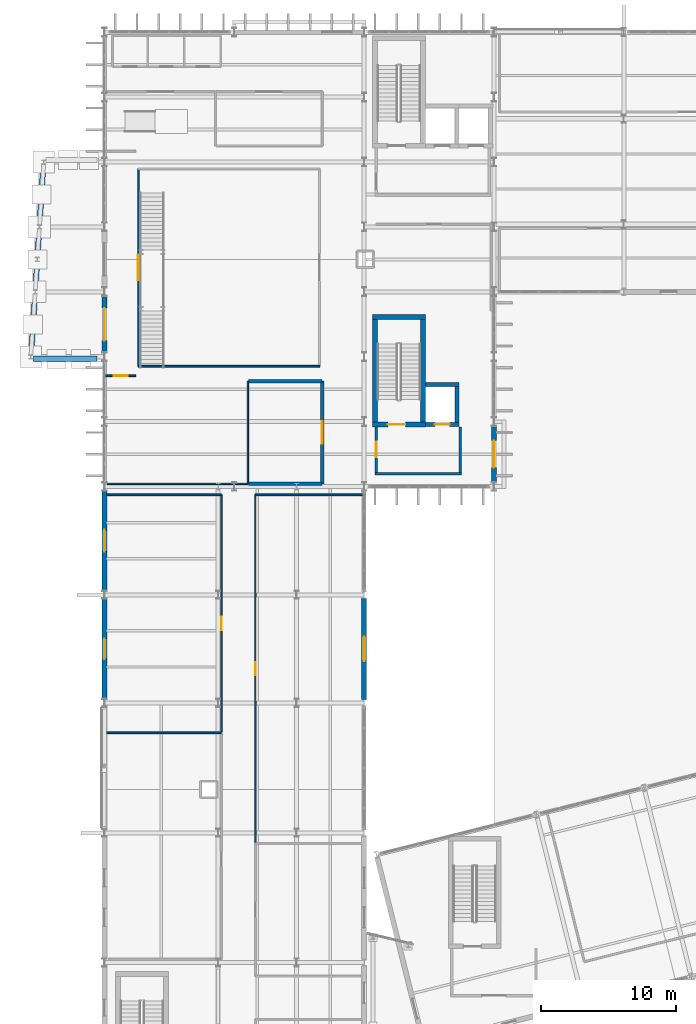
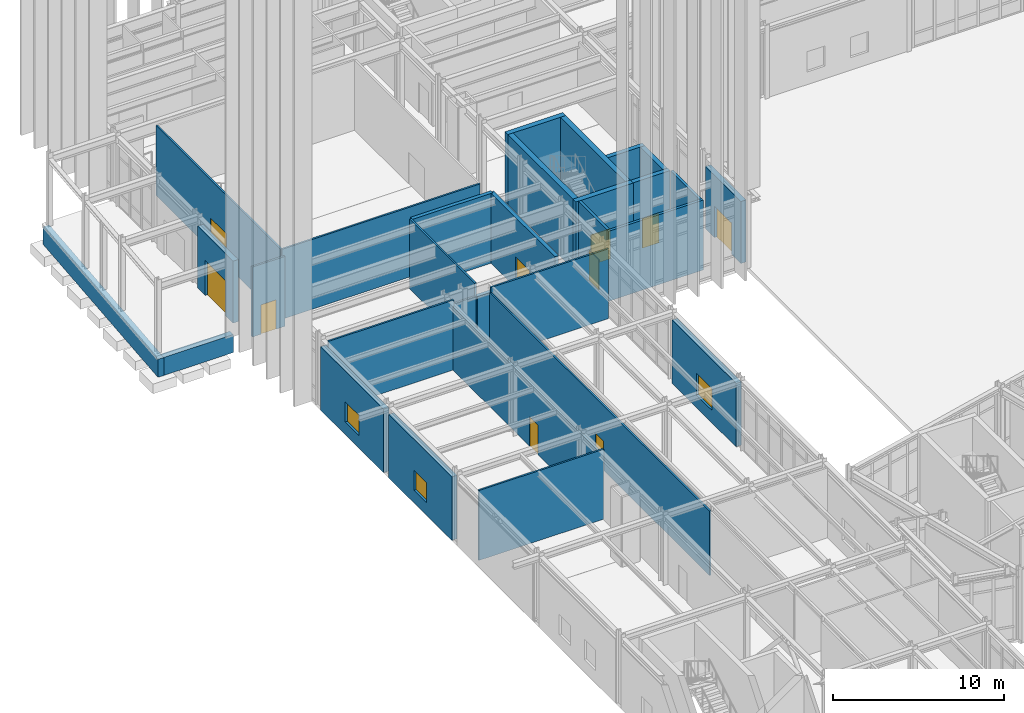
# One storey, part 90 of 109: 30 walls, 10 doors, 3 windows, 13 openings.
"""IFC4 building model written with IfcOpenShell, lengths in metres."""

from ifc_helpers import new_model, si_unit, direction, frame, frame_2d, origin, place, context, subcontext, project, spatial, rectangle, extrude, material, layer, layer_set, type_object, element, fill, save


model = new_model("IFC4")

# Units and contexts
model_context = context("Model", 3, precision=1e-05, world=origin(), true_north=direction((0.0, 1.0)))
body_context = subcontext(model_context, "Body", "Model", "MODEL_VIEW")
ifc_project = project(units=[si_unit("LENGTHUNIT", "METRE"), si_unit("AREAUNIT", "SQUARE_METRE"), si_unit("VOLUMEUNIT", "CUBIC_METRE"), si_unit("PLANEANGLEUNIT", "RADIAN"), si_unit("MASSUNIT", "GRAM", prefix="KILO")], contexts=[model_context])

# Site, building, storey
site_placement = place(None, origin())
site = spatial("IfcSite", under=ifc_project, at=site_placement, CompositionType="ELEMENT")
building_placement = place(site_placement, origin())
building = spatial("IfcBuilding", under=site, at=building_placement, Name="Nordkorset Police Headquarters", CompositionType="ELEMENT")
storey_placement = place(building_placement, origin())
storey = spatial("IfcBuildingStorey", under=building, at=storey_placement, Name="L00", CompositionType="ELEMENT", Elevation=0.0)

# Wall
ifc_material_1 = material(Name="Gypsum board", Category="gypsum")
ifc_layer_1 = layer(ifc_material_1, 0.179931640625, Name="Gypsum board")
ifc_layer_set_1 = layer_set([ifc_layer_1], Name="Gypsum board")
wall_type_1 = type_object("IfcWallType", Name="Wall_Comp_180", PredefinedType="PARTITIONING", material=ifc_layer_set_1)
wall_1_placement = place(storey_placement, frame((20.0, 84.159912109375, 0.0), z_axis=(0.0, 0.0, 1.0), x_axis=(1.0, 0.0, 0.0)))
element("IfcWall", 1, at=wall_1_placement, inside=storey, type_object=wall_type_1, Name="Firefighting Lobby EI 60 Wall K3 L00 S", PredefinedType="PARTITIONING", context=body_context, shape_type="SweptSolid", body=[
    extrude(rectangle(XDim=6.39990234375, YDim=0.179931640625, at=frame_2d((3.199951171875, 0.0))), origin(), (0.0, 0.0, 1.0), 5.0),
])

# Wall, opening, door
wall_2_placement = place(storey_placement, frame((20.090087890625, 84.25, 0.0), z_axis=(0.0, 0.0, 1.0), x_axis=(0.0, 1.0, 0.0)))
wall_2 = element("IfcWall", 2, at=wall_2_placement, inside=storey, type_object=wall_type_1, Name="Firefighting Lobby EI 60 Wall K3 L00 W", PredefinedType="PARTITIONING", context=body_context, shape_type="SweptSolid", body=[
    extrude(rectangle(XDim=3.375, YDim=0.179931640625, at=frame_2d((1.6875, 0.0))), origin(), (0.0, 0.0, 1.0), 5.0),
])
opening_1_placement = place(wall_2_placement, frame((1.112548828125, 0.0, 0.0)))
opening_1 = element("IfcOpeningElement", 3, at=opening_1_placement, cuts=wall_2, Name="Opening DR-01", PredefinedType="OPENING", context=body_context, shape_type="SweptSolid", body=[
    extrude(rectangle(XDim=1.14990234375, YDim=2.14990234375, at=frame_2d((0.574951171875, 1.074951171875))), frame((0.0, 0.10009765625, 0.0), z_axis=(0.0, -1.0, 0.0), x_axis=(1.0, 0.0, 0.0)), (0.0, 0.0, 1.0), 0.199951171875),
])
ifc_material_2 = material(Name="Steel S355J2", Category="steel")
door_type_1 = type_object("IfcDoorType", Name="Door_LobbySingle_1150x2150", OperationType="NOTDEFINED", PredefinedType="DOOR", material=ifc_material_2)
door_1_placement = place(opening_1_placement, origin())
door_1 = element("IfcDoor", 4, at=door_1_placement, inside=storey, type_object=door_type_1, Name="Firefighting Lobby Smoke Door K3 L00 W", OperationType="SINGLE_SWING_RIGHT", OverallHeight=2.14990234375, OverallWidth=1.14990234375, PredefinedType="DOOR", context=body_context, shape_type="SweptSolid", body=[
    extrude(rectangle(XDim=1.14990234375, YDim=2.14990234375, at=frame_2d((0.574951171875, 1.074951171875))), frame((0.0, 0.02490234375, 0.0), z_axis=(0.0, -1.0, 0.0), x_axis=(1.0, 0.0, 0.0)), (0.0, 0.0, 1.0), 0.050048828125),
])
fill(opening_1, door_1)

# Wall
wall_3_placement = place(storey_placement, frame((26.31005859375, 84.25, 0.0), z_axis=(0.0, 0.0, 1.0), x_axis=(0.0, 1.0, 0.0)))
element("IfcWall", 5, at=wall_3_placement, inside=storey, type_object=wall_type_1, Name="Firefighting Lobby EI 60 Wall K3 L00 E", PredefinedType="PARTITIONING", context=body_context, shape_type="SweptSolid", body=[
    extrude(rectangle(XDim=3.375, YDim=0.179931640625, at=frame_2d((1.6875, 0.0))), origin(), (0.0, 0.0, 1.0), 5.0),
])

# Wall, opening, door
ifc_material_3 = material(Name="Concrete C35/45", Category="concrete")
ifc_layer_2 = layer(ifc_material_3, 0.35009765625, Name="Concrete C35/45")
ifc_layer_set_2 = layer_set([ifc_layer_2], Name="Concrete C35/45")
wall_type_2 = type_object("IfcWallType", Name="Wall_CoreShear_350", PredefinedType="SHEAR", material=ifc_layer_set_2)
wall_4_placement = place(storey_placement, frame((19.824951171875, 87.800048828125, 0.0), z_axis=(0.0, 0.0, 1.0), x_axis=(1.0, 0.0, 0.0)))
wall_4 = element("IfcWall", 6, at=wall_4_placement, inside=storey, type_object=wall_type_2, Name="Core K3 Stair Shaft South Shear Wall L00", PredefinedType="SHEAR", context=body_context, shape_type="SweptSolid", body=[
    extrude(rectangle(XDim=3.900146484375, YDim=0.35009765625, at=frame_2d((1.9501953125, 0.0))), origin(), (0.0, 0.0, 1.0), 5.0),
])
opening_2_placement = place(wall_4_placement, frame((1.125, 0.0, 0.0)))
opening_2 = element("IfcOpeningElement", 7, at=opening_2_placement, cuts=wall_4, Name="Opening DR-20", PredefinedType="OPENING", context=body_context, shape_type="SweptSolid", body=[
    extrude(rectangle(XDim=1.300048828125, YDim=2.14990234375, at=frame_2d((0.64990234375, 1.074951171875))), frame((0.0, 0.18505859375, 0.0), z_axis=(0.0, -1.0, 0.0), x_axis=(1.0, 0.0, 0.0)), (0.0, 0.0, 1.0), 0.3701171875),
])
ifc_material_4 = material(Name="Steel S355J2", Category="steel")
door_type_2 = type_object("IfcDoorType", Name="Door_Stair_1300x2150", OperationType="NOTDEFINED", PredefinedType="DOOR", material=ifc_material_4)
door_2_placement = place(opening_2_placement, origin())
door_2 = element("IfcDoor", 8, at=door_2_placement, inside=storey, type_object=door_type_2, Name="Protected Stair Fire Door ST-03 L00", OperationType="SINGLE_SWING_LEFT", OverallHeight=2.14990234375, OverallWidth=1.300048828125, PredefinedType="DOOR", context=body_context, shape_type="SweptSolid", body=[
    extrude(rectangle(XDim=1.300048828125, YDim=2.14990234375, at=frame_2d((0.64990234375, 1.074951171875))), frame((0.0, 0.02490234375, 0.0), z_axis=(0.0, -1.0, 0.0), x_axis=(1.0, 0.0, 0.0)), (0.0, 0.0, 1.0), 0.050048828125),
])
fill(opening_2, door_2)

# Walls
wall_5_placement = place(storey_placement, frame((19.824951171875, 95.75, 0.0), z_axis=(0.0, 0.0, 1.0), x_axis=(1.0, 0.0, 0.0)))
element("IfcWall", 9, at=wall_5_placement, inside=storey, type_object=wall_type_2, Name="Core K3 Stair Shaft North Shear Wall L00", PredefinedType="SHEAR", context=body_context, shape_type="SweptSolid", body=[
    extrude(rectangle(XDim=3.900146484375, YDim=0.35009765625, at=frame_2d((1.9501953125, 0.0))), origin(), (0.0, 0.0, 1.0), 5.0),
])
for number, where, z_axis, x_axis, name in (
    (10, (20.0, 87.97509765625, 0.0), (0.0, 0.0, 1.0), (0.0, 1.0, 0.0), "Core K3 Stair Shaft West Shear Wall L00"),
    (11, (23.550048828125, 87.97509765625, 0.0), (0.0, 0.0, 1.0), (0.0, 1.0, 0.0), "Core K3 Stair Shaft East Shear Wall L00"),
):
    element("IfcWall", number, at=place(storey_placement, frame(where, z_axis=z_axis, x_axis=x_axis)), inside=storey, type_object=wall_type_2, Name=name, PredefinedType="SHEAR", context=body_context, shape_type="SweptSolid", body=[
        extrude(rectangle(XDim=7.599853515625, YDim=0.35009765625, at=frame_2d((3.7998046875, 0.0))), origin(), (0.0, 0.0, 1.0), 5.0),
    ])

# Wall, opening, door
ifc_material_5 = material(Name="Precast concrete C40/50", Category="concrete")
ifc_layer_3 = layer(ifc_material_5, 0.360107421875, Name="Precast concrete C40/50")
ifc_layer_set_3 = layer_set([ifc_layer_3], Name="Precast concrete C40/50")
wall_type_3 = type_object("IfcWallType", Name="Wall_ExtPrecast_360", PredefinedType="SOLIDWALL", material=ifc_layer_set_3)
wall_6_placement = place(storey_placement, frame((0.0, 93.126953125, 0.0), z_axis=(0.0, 0.0, 1.0), x_axis=(0.0, 1.0, 0.0)))
wall_6 = element("IfcWall", 12, at=wall_6_placement, inside=storey, type_object=wall_type_3, Name="Exterior Insulated Precast Wall L00 V1W-2", PredefinedType="SOLIDWALL", context=body_context, shape_type="SweptSolid", body=[
    extrude(rectangle(XDim=4.14599609375, YDim=0.360107421875, at=frame_2d((2.072998046875, 0.0))), origin(), (0.0, 0.0, 1.0), 4.43994140625),
])
opening_3_placement = place(wall_6_placement, frame((0.873046875, 0.0, 0.0)))
opening_3 = element("IfcOpeningElement", 13, at=opening_3_placement, cuts=wall_6, Name="Opening ED-01", PredefinedType="OPENING", context=body_context, shape_type="SweptSolid", body=[
    extrude(rectangle(XDim=2.39990234375, YDim=2.5, at=frame_2d((1.199951171875, 1.25))), frame((0.0, 0.18994140625, 0.0), z_axis=(0.0, -1.0, 0.0), x_axis=(1.0, 0.0, 0.0)), (0.0, 0.0, 1.0), 0.380126953125),
])
ifc_material_6 = material(Name="Aluminium alloy AW-6060", Category="aluminium")
door_type_3 = type_object("IfcDoorType", Name="ExtDoor_MainPublic_2400x2500", OperationType="DOUBLE_DOOR_SINGLE_SWING", PredefinedType="DOOR", material=ifc_material_6)
door_3_placement = place(opening_3_placement, origin())
door_3 = element("IfcDoor", 14, at=door_3_placement, inside=storey, type_object=door_type_3, Name="Main Public Forecourt Entrance Door ED-01", OperationType="SINGLE_SWING_LEFT", OverallHeight=2.5, OverallWidth=2.39990234375, PredefinedType="DOOR", context=body_context, shape_type="SweptSolid", body=[
    extrude(rectangle(XDim=2.39990234375, YDim=2.5, at=frame_2d((1.199951171875, 1.25))), frame((0.0, 0.02490234375, 0.0), z_axis=(0.0, -1.0, 0.0), x_axis=(1.0, 0.0, 0.0)), (0.0, 0.0, 1.0), 0.050048828125),
])
fill(opening_3, door_3)

wall_7_placement = place(storey_placement, frame((28.800048828125, 83.527099609375, 0.0), z_axis=(0.0, 0.0, 1.0), x_axis=(0.0, 1.0, 0.0)))
wall_7 = element("IfcWall", 15, at=wall_7_placement, inside=storey, type_object=wall_type_3, Name="Exterior Insulated Precast Wall L00 V1E-0", PredefinedType="SOLIDWALL", context=body_context, shape_type="SweptSolid", body=[
    extrude(rectangle(XDim=4.14599609375, YDim=0.360107421875, at=frame_2d((2.072998046875, 0.0))), origin(), (0.0, 0.0, 1.0), 4.43994140625),
])
opening_4_placement = place(wall_7_placement, frame((1.072998046875, 0.0, 0.0)))
opening_4 = element("IfcOpeningElement", 16, at=opening_4_placement, cuts=wall_7, Name="Opening ED-04", PredefinedType="OPENING", context=body_context, shape_type="SweptSolid", body=[
    extrude(rectangle(XDim=2.0, YDim=2.25, at=frame_2d((1.0, 1.125))), frame((0.0, 0.18994140625, 0.0), z_axis=(0.0, -1.0, 0.0), x_axis=(1.0, 0.0, 0.0)), (0.0, 0.0, 1.0), 0.380126953125),
])
ifc_material_7 = material(Name="Steel S355J2", Category="steel")
door_type_4 = type_object("IfcDoorType", Name="ExtDoor_CoreExit_2000x2250", OperationType="DOUBLE_DOOR_SINGLE_SWING", PredefinedType="DOOR", material=ifc_material_7)
door_4_placement = place(opening_4_placement, frame((2.0, 0.0, 0.0), z_axis=(0.0, 0.0, 1.0), x_axis=(-1.0, 0.0, 0.0)))
door_4 = element("IfcDoor", 17, at=door_4_placement, inside=storey, type_object=door_type_4, Name="Core K3 Courtyard Final Exit Door ED-04", OperationType="SINGLE_SWING_LEFT", OverallHeight=2.25, OverallWidth=2.0, PredefinedType="DOOR", context=body_context, shape_type="SweptSolid", body=[
    extrude(rectangle(XDim=2.0, YDim=2.25, at=frame_2d((1.0, 1.125))), frame((0.0, 0.02490234375, 0.0), z_axis=(0.0, -1.0, 0.0), x_axis=(1.0, 0.0, 0.0)), (0.0, 0.0, 1.0), 0.050048828125),
])
fill(opening_4, door_4)

# Wall, opening, window
wall_8_placement = place(storey_placement, frame((0.0, 67.501953125, 0.0), z_axis=(0.0, 0.0, 1.0), x_axis=(0.0, 1.0, 0.0)))
wall_8 = element("IfcWall", 18, at=wall_8_placement, inside=storey, type_object=wall_type_3, Name="Exterior Insulated Precast Wall L00 V3W-4", PredefinedType="SOLIDWALL", context=body_context, shape_type="SweptSolid", body=[
    extrude(rectangle(XDim=7.39599609375, YDim=0.360107421875, at=frame_2d((3.697998046875, 0.0))), origin(), (0.0, 0.0, 1.0), 4.5400390625),
])
opening_5_placement = place(wall_8_placement, frame((2.947998046875, 0.0, 0.89990234375)))
opening_5 = element("IfcOpeningElement", 19, at=opening_5_placement, cuts=wall_8, Name="Opening WN-51", PredefinedType="OPENING", context=body_context, shape_type="SweptSolid", body=[
    extrude(rectangle(XDim=1.5, YDim=1.449951171875, at=frame_2d((0.75, 0.72509765625))), frame((0.0, 0.18994140625, 0.0), z_axis=(0.0, -1.0, 0.0), x_axis=(1.0, 0.0, 0.0)), (0.0, 0.0, 1.0), 0.380126953125),
])
ifc_material_8 = material(Name="Low-iron triple glazing", Category="glass")
window_type_1 = type_object("IfcWindowType", Name="Win_1500x1450", PartitioningType="SINGLE_PANEL", PredefinedType="WINDOW", material=ifc_material_8)
window_1_placement = place(opening_5_placement, origin())
window_1 = element("IfcWindow", 20, at=window_1_placement, inside=storey, type_object=window_type_1, Name="Triple-Glazed Exterior Window L00 V3W-4-1", OverallHeight=1.449951171875, OverallWidth=1.5, PartitioningType="SINGLE_PANEL", PredefinedType="WINDOW", context=body_context, shape_type="SweptSolid", body=[
    extrude(rectangle(XDim=1.5, YDim=1.449951171875, at=frame_2d((0.75, 0.72509765625))), frame((0.0, 0.030029296875, 0.0), z_axis=(0.0, -1.0, 0.0), x_axis=(1.0, 0.0, 0.0)), (0.0, 0.0, 1.0), 0.06005859375),
])
fill(opening_5, window_1)

wall_9_placement = place(storey_placement, frame((19.199951171875, 67.451904296875, 0.0), z_axis=(0.0, 0.0, 1.0), x_axis=(0.0, 1.0, 0.0)))
wall_9 = element("IfcWall", 21, at=wall_9_placement, inside=storey, type_object=wall_type_3, Name="Exterior Insulated Precast Wall L00 V3E-4", PredefinedType="SOLIDWALL", context=body_context, shape_type="SweptSolid", body=[
    extrude(rectangle(XDim=7.49609375, YDim=0.360107421875, at=frame_2d((3.748046875, 0.0))), origin(), (0.0, 0.0, 1.0), 4.5400390625),
])
opening_6_placement = place(wall_9_placement, frame((2.847900390625, 0.0, 0.89990234375)))
opening_6 = element("IfcOpeningElement", 22, at=opening_6_placement, cuts=wall_9, Name="Opening WN-26", PredefinedType="OPENING", context=body_context, shape_type="SweptSolid", body=[
    extrude(rectangle(XDim=1.800048828125, YDim=1.550048828125, at=frame_2d((0.89990234375, 0.77490234375))), frame((0.0, 0.18994140625, 0.0), z_axis=(0.0, -1.0, 0.0), x_axis=(1.0, 0.0, 0.0)), (0.0, 0.0, 1.0), 0.380126953125),
])
ifc_material_9 = material(Name="Low-iron triple glazing", Category="glass")
window_type_2 = type_object("IfcWindowType", Name="Win_1800x1550", PartitioningType="SINGLE_PANEL", PredefinedType="WINDOW", material=ifc_material_9)
window_2_placement = place(opening_6_placement, origin())
window_2 = element("IfcWindow", 23, at=window_2_placement, inside=storey, type_object=window_type_2, Name="Triple-Glazed Exterior Window L00 V3E-4-1", OverallHeight=1.550048828125, OverallWidth=1.800048828125, PartitioningType="SINGLE_PANEL", PredefinedType="WINDOW", context=body_context, shape_type="SweptSolid", body=[
    extrude(rectangle(XDim=1.800048828125, YDim=1.550048828125, at=frame_2d((0.89990234375, 0.77490234375))), frame((0.0, 0.030029296875, 0.0), z_axis=(0.0, -1.0, 0.0), x_axis=(1.0, 0.0, 0.0)), (0.0, 0.0, 1.0), 0.06005859375),
])
fill(opening_6, window_2)

wall_10_placement = place(storey_placement, frame((0.0, 75.501953125, 0.0), z_axis=(0.0, 0.0, 1.0), x_axis=(0.0, 1.0, 0.0)))
wall_10 = element("IfcWall", 24, at=wall_10_placement, inside=storey, type_object=wall_type_3, Name="Exterior Insulated Precast Wall L00 V3W-5", PredefinedType="SOLIDWALL", context=body_context, shape_type="SweptSolid", body=[
    extrude(rectangle(XDim=7.37109375, YDim=0.360107421875, at=frame_2d((3.685546875, 0.0))), origin(), (0.0, 0.0, 1.0), 4.5400390625),
])
opening_7_placement = place(wall_10_placement, frame((2.89794921875, 0.0, 0.89990234375)))
opening_7 = element("IfcOpeningElement", 25, at=opening_7_placement, cuts=wall_10, Name="Opening WN-37", PredefinedType="OPENING", context=body_context, shape_type="SweptSolid", body=[
    extrude(rectangle(XDim=1.60009765625, YDim=1.449951171875, at=frame_2d((0.800048828125, 0.72509765625))), frame((0.0, 0.18994140625, 0.0), z_axis=(0.0, -1.0, 0.0), x_axis=(1.0, 0.0, 0.0)), (0.0, 0.0, 1.0), 0.380126953125),
])
ifc_material_10 = material(Name="Low-iron triple glazing", Category="glass")
window_type_3 = type_object("IfcWindowType", Name="Win_1600x1450", PartitioningType="SINGLE_PANEL", PredefinedType="WINDOW", material=ifc_material_10)
window_3_placement = place(opening_7_placement, origin())
window_3 = element("IfcWindow", 26, at=window_3_placement, inside=storey, type_object=window_type_3, Name="Triple-Glazed Exterior Window L00 V3W-5-1", OverallHeight=1.449951171875, OverallWidth=1.60009765625, PartitioningType="SINGLE_PANEL", PredefinedType="WINDOW", context=body_context, shape_type="SweptSolid", body=[
    extrude(rectangle(XDim=1.60009765625, YDim=1.449951171875, at=frame_2d((0.800048828125, 0.72509765625))), frame((0.0, 0.030029296875, 0.0), z_axis=(0.0, -1.0, 0.0), x_axis=(1.0, 0.0, 0.0)), (0.0, 0.0, 1.0), 0.06005859375),
])
fill(opening_7, window_3)

# Wall
ifc_material_11 = material(Name="Gypsum board", Category="gypsum")
ifc_layer_4 = layer(ifc_material_11, 0.1201171875, Name="Gypsum board")
ifc_layer_set_4 = layer_set([ifc_layer_4], Name="Gypsum board")
wall_type_4 = type_object("IfcWallType", Name="Wall_Part_120", PredefinedType="PARTITIONING", material=ifc_layer_set_4)
wall_11_placement = place(storey_placement, frame((2.5, 92.10009765625, 0.0), z_axis=(0.0, 0.0, 1.0), x_axis=(1.0, 0.0, 0.0)))
element("IfcWall", 27, at=wall_11_placement, inside=storey, type_object=wall_type_4, Name="Interior Partition Wall Public Entrance Hall", PredefinedType="PARTITIONING", context=body_context, shape_type="SweptSolid", body=[
    extrude(rectangle(XDim=13.39990234375, YDim=0.1201171875, at=frame_2d((6.699951171875, 0.0))), origin(), (0.0, 0.0, 1.0), 5.0),
])

# Wall, opening, door
wall_12_placement = place(storey_placement, frame((2.5, 106.699951171875, 0.0), z_axis=(0.0, 0.0, 1.0), x_axis=(0.0, -1.0, 0.0)))
wall_12 = element("IfcWall", 28, at=wall_12_placement, inside=storey, type_object=wall_type_4, Name="Interior Partition Wall Public Entrance Hall", PredefinedType="PARTITIONING", context=body_context, shape_type="SweptSolid", body=[
    extrude(rectangle(XDim=14.599853515625, YDim=0.1201171875, at=frame_2d((7.2998046875, 0.0))), origin(), (0.0, 0.0, 1.0), 5.0),
])
opening_8_placement = place(wall_12_placement, frame((6.360107421875, 0.0, 0.0)))
opening_8 = element("IfcOpeningElement", 29, at=opening_8_placement, cuts=wall_12, Name="Opening DR-05", PredefinedType="OPENING", context=body_context, shape_type="SweptSolid", body=[
    extrude(rectangle(XDim=1.8798828125, YDim=2.25, at=frame_2d((0.93994140625, 1.125))), frame((0.0, 0.070068359375, 0.0), z_axis=(0.0, -1.0, 0.0), x_axis=(1.0, 0.0, 0.0)), (0.0, 0.0, 1.0), 0.14013671875),
])
ifc_material_12 = material(Name="Aluminium alloy AW-6060", Category="aluminium")
door_type_5 = type_object("IfcDoorType", Name="Door_HallDouble_1880x2250", OperationType="DOUBLE_DOOR_SINGLE_SWING", PredefinedType="DOOR", material=ifc_material_12)
door_5_placement = place(opening_8_placement, frame((1.8798828125, 0.0, 0.0), z_axis=(0.0, 0.0, 1.0), x_axis=(-1.0, 0.0, 0.0)))
door_5 = element("IfcDoor", 30, at=door_5_placement, inside=storey, type_object=door_type_5, Name="Interior Door Public Entrance Foyer", OperationType="DOUBLE_DOOR_SINGLE_SWING", OverallHeight=2.25, OverallWidth=1.8798828125, PredefinedType="DOOR", context=body_context, shape_type="SweptSolid", body=[
    extrude(rectangle(XDim=1.8798828125, YDim=2.25, at=frame_2d((0.93994140625, 1.125))), frame((0.0, 0.02490234375, 0.0), z_axis=(0.0, -1.0, 0.0), x_axis=(1.0, 0.0, 0.0)), (0.0, 0.0, 1.0), 0.050048828125),
])
fill(opening_8, door_5)

wall_13_placement = place(storey_placement, frame((0.0849609375, 91.39990234375, 0.0), z_axis=(0.0, 0.0, 1.0), x_axis=(1.0, 0.0, 0.0)))
wall_13 = element("IfcWall", 31, at=wall_13_placement, inside=storey, type_object=wall_type_4, Name="Interior Partition Wall Public Entrance Foyer", PredefinedType="PARTITIONING", context=body_context, shape_type="SweptSolid", body=[
    extrude(rectangle(XDim=2.215087890625, YDim=0.1201171875, at=frame_2d((1.107421875, 0.0))), origin(), (0.0, 0.0, 1.0), 5.0),
])
opening_9_placement = place(wall_13_placement, frame((0.597412109375, 0.0, 0.0)))
opening_9 = element("IfcOpeningElement", 32, at=opening_9_placement, cuts=wall_13, Name="Opening DR-19", PredefinedType="OPENING", context=body_context, shape_type="SweptSolid", body=[
    extrude(rectangle(XDim=1.02001953125, YDim=2.10009765625, at=frame_2d((0.510009765625, 1.050048828125))), frame((0.0, 0.070068359375, 0.0), z_axis=(0.0, -1.0, 0.0), x_axis=(1.0, 0.0, 0.0)), (0.0, 0.0, 1.0), 0.14013671875),
])
ifc_material_13 = material(Name="Glulam GL30c", Category="wood")
door_type_6 = type_object("IfcDoorType", Name="Door_Office_1020x2100", OperationType="NOTDEFINED", PredefinedType="DOOR", material=ifc_material_13)
door_6_placement = place(opening_9_placement, origin())
door_6 = element("IfcDoor", 33, at=door_6_placement, inside=storey, type_object=door_type_6, Name="Interior Door Public Front Counter Hall", OperationType="SINGLE_SWING_RIGHT", OverallHeight=2.10009765625, OverallWidth=1.02001953125, PredefinedType="DOOR", context=body_context, shape_type="SweptSolid", body=[
    extrude(rectangle(XDim=1.02001953125, YDim=2.10009765625, at=frame_2d((0.510009765625, 1.050048828125))), frame((0.0, 0.02490234375, 0.0), z_axis=(0.0, -1.0, 0.0), x_axis=(1.0, 0.0, 0.0)), (0.0, 0.0, 1.0), 0.050048828125),
])
fill(opening_9, door_6)

# Walls
wall_14_placement = place(storey_placement, frame((0.199951171875, 83.39990234375, 0.0), z_axis=(0.0, 0.0, 1.0), x_axis=(1.0, 0.0, 0.0)))
element("IfcWall", 34, at=wall_14_placement, inside=storey, type_object=wall_type_4, Name="Interior Partition Wall Public Front Counter Hall", PredefinedType="PARTITIONING", context=body_context, shape_type="SweptSolid", body=[
    extrude(rectangle(XDim=10.400146484375, YDim=0.1201171875, at=frame_2d((5.2001953125, 0.0))), origin(), (0.0, 0.0, 1.0), 4.080078125),
])
wall_15_placement = place(storey_placement, frame((10.60009765625, 83.39990234375, 0.0), z_axis=(0.0, 0.0, 1.0), x_axis=(0.0, 1.0, 0.0)))
element("IfcWall", 35, at=wall_15_placement, inside=storey, type_object=wall_type_4, Name="Interior Partition Wall Public Front Counter Hall", PredefinedType="PARTITIONING", context=body_context, shape_type="SweptSolid", body=[
    extrude(rectangle(XDim=7.60009765625, YDim=0.1201171875, at=frame_2d((3.800048828125, 0.0))), origin(), (0.0, 0.0, 1.0), 5.0),
])
wall_16_placement = place(storey_placement, frame((8.639892578125, 65.0, 0.0), z_axis=(0.0, 0.0, 1.0), x_axis=(-1.0, 0.0, 0.0)))
element("IfcWall", 36, at=wall_16_placement, inside=storey, type_object=wall_type_4, Name="Interior Partition Wall Crime Scene Unit Rapid Dispatch Room", PredefinedType="PARTITIONING", context=body_context, shape_type="SweptSolid", body=[
    extrude(rectangle(XDim=8.46484375, YDim=0.1201171875, at=frame_2d((4.232421875, 0.0))), origin(), (0.0, 0.0, 1.0), 5.0),
])

# Wall, opening, door
wall_17_placement = place(storey_placement, frame((8.639892578125, 65.054931640625, 0.0), z_axis=(0.0, 0.0, 1.0), x_axis=(0.0, 1.0, 0.0)))
wall_17 = element("IfcWall", 37, at=wall_17_placement, inside=storey, type_object=wall_type_4, Name="Interior Partition Wall Chain-of-Custody Evidence Reception", PredefinedType="PARTITIONING", context=body_context, shape_type="SweptSolid", body=[
    extrude(rectangle(XDim=17.545166015625, YDim=0.1201171875, at=frame_2d((8.7724609375, 0.0))), origin(), (0.0, 0.0, 1.0), 4.5400390625),
])
opening_10_placement = place(wall_17_placement, frame((7.512451171875, 0.0, 0.0)))
opening_10 = element("IfcOpeningElement", 38, at=opening_10_placement, cuts=wall_17, Name="Opening DR-19", PredefinedType="OPENING", context=body_context, shape_type="SweptSolid", body=[
    extrude(rectangle(XDim=1.02001953125, YDim=2.10009765625, at=frame_2d((0.510009765625, 1.050048828125))), frame((0.0, 0.070068359375, 0.0), z_axis=(0.0, -1.0, 0.0), x_axis=(1.0, 0.0, 0.0)), (0.0, 0.0, 1.0), 0.14013671875),
])
door_7_placement = place(opening_10_placement, origin())
door_7 = element("IfcDoor", 39, at=door_7_placement, inside=storey, type_object=door_type_6, Name="Interior Door Chain-of-Custody Evidence Reception", OperationType="SINGLE_SWING_LEFT", OverallHeight=2.10009765625, OverallWidth=1.02001953125, PredefinedType="DOOR", context=body_context, shape_type="SweptSolid", body=[
    extrude(rectangle(XDim=1.02001953125, YDim=2.10009765625, at=frame_2d((0.510009765625, 1.050048828125))), frame((0.0, 0.02490234375, 0.0), z_axis=(0.0, -1.0, 0.0), x_axis=(1.0, 0.0, 0.0)), (0.0, 0.0, 1.0), 0.050048828125),
])
fill(opening_10, door_7)

# Walls
wall_18_placement = place(storey_placement, frame((8.639892578125, 82.60009765625, 0.0), z_axis=(0.0, 0.0, 1.0), x_axis=(-1.0, 0.0, 0.0)))
element("IfcWall", 40, at=wall_18_placement, inside=storey, type_object=wall_type_4, Name="Interior Partition Wall Chain-of-Custody Evidence Reception", PredefinedType="PARTITIONING", context=body_context, shape_type="SweptSolid", body=[
    extrude(rectangle(XDim=8.46484375, YDim=0.1201171875, at=frame_2d((4.232421875, 0.0))), origin(), (0.0, 0.0, 1.0), 5.0),
])
wall_19_placement = place(storey_placement, frame((19.114990234375, 82.60009765625, 0.0), z_axis=(0.0, 0.0, 1.0), x_axis=(-1.0, 0.0, 0.0)))
element("IfcWall", 41, at=wall_19_placement, inside=storey, type_object=wall_type_4, Name="Interior Partition Wall Occupational Health Clinic", PredefinedType="PARTITIONING", context=body_context, shape_type="SweptSolid", body=[
    extrude(rectangle(XDim=7.955078125, YDim=0.1201171875, at=frame_2d((3.9775390625, 0.0))), origin(), (0.0, 0.0, 1.0), 5.0),
])

# Wall, opening, door
wall_20_placement = place(storey_placement, frame((11.159912109375, 82.60009765625, 0.0), z_axis=(0.0, 0.0, 1.0), x_axis=(0.0, -1.0, 0.0)))
wall_20 = element("IfcWall", 42, at=wall_20_placement, inside=storey, type_object=wall_type_4, Name="Interior Partition Wall Occupational Health Clinic", PredefinedType="PARTITIONING", context=body_context, shape_type="SweptSolid", body=[
    extrude(rectangle(XDim=25.7451171875, YDim=0.1201171875, at=frame_2d((12.87255859375, 0.0))), origin(), (0.0, 0.0, 1.0), 4.6201171875),
])
opening_11_placement = place(wall_20_placement, frame((12.392578125, 0.0, 0.0)))
opening_11 = element("IfcOpeningElement", 43, at=opening_11_placement, cuts=wall_20, Name="Opening DR-08", PredefinedType="OPENING", context=body_context, shape_type="SweptSolid", body=[
    extrude(rectangle(XDim=0.9599609375, YDim=2.080078125, at=frame_2d((0.47998046875, 1.0400390625))), frame((0.0, 0.070068359375, 0.0), z_axis=(0.0, -1.0, 0.0), x_axis=(1.0, 0.0, 0.0)), (0.0, 0.0, 1.0), 0.14013671875),
])
ifc_material_14 = material(Name="Glulam GL30c", Category="wood")
door_type_7 = type_object("IfcDoorType", Name="Door_Welfare_960x2080", OperationType="NOTDEFINED", PredefinedType="DOOR", material=ifc_material_14)
door_8_placement = place(opening_11_placement, frame((0.9599609375, 0.0, 0.0), z_axis=(0.0, 0.0, 1.0), x_axis=(-1.0, 0.0, 0.0)))
door_8 = element("IfcDoor", 44, at=door_8_placement, inside=storey, type_object=door_type_7, Name="Interior Door Occupational Health Clinic", OperationType="SINGLE_SWING_RIGHT", OverallHeight=2.080078125, OverallWidth=0.9599609375, PredefinedType="DOOR", context=body_context, shape_type="SweptSolid", body=[
    extrude(rectangle(XDim=0.9599609375, YDim=2.080078125, at=frame_2d((0.47998046875, 1.0400390625))), frame((0.0, 0.02490234375, 0.0), z_axis=(0.0, -1.0, 0.0), x_axis=(1.0, 0.0, 0.0)), (0.0, 0.0, 1.0), 0.050048828125),
])
fill(opening_11, door_8)

# Walls
ifc_material_15 = material(Name="Concrete C40/50", Category="concrete")
ifc_layer_5 = layer(ifc_material_15, 0.39990234375, Name="Concrete C40/50")
ifc_layer_set_5 = layer_set([ifc_layer_5], Name="Concrete C40/50")
wall_type_5 = type_object("IfcWallType", Name="Wall_Retaining_400", PredefinedType="USERDEFINED", material=ifc_layer_set_5)
wall_21_placement = place(storey_placement, frame((-5.449951171875, 92.449951171875, -1.550048828125), z_axis=(0.0, 0.0, 1.0), x_axis=(0.063445082018, 0.997985331339, 0.0)))
element("IfcWall", 45, at=wall_21_placement, inside=storey, type_object=wall_type_5, Name="Forecourt Frost-Skirt Foundation Wall FSK-CAN-W", ObjectType="RETAINING WALL", PredefinedType="USERDEFINED", context=body_context, shape_type="SweptSolid", body=[
    extrude(rectangle(XDim=15.130615234375, YDim=0.39990234375, at=frame_2d((7.5654296875, 0.0))), origin(), (0.0, 0.0, 1.0), 1.2900390625),
])
wall_22_placement = place(storey_placement, frame((-5.25, 92.64990234375, -1.550048828125), z_axis=(0.0, 0.0, 1.0), x_axis=(1.0, 0.0, 0.0)))
element("IfcWall", 46, at=wall_22_placement, inside=storey, type_object=wall_type_5, Name="Forecourt Frost-Skirt Foundation Wall FSK-CAN-S", ObjectType="RETAINING WALL", PredefinedType="USERDEFINED", context=body_context, shape_type="SweptSolid", body=[
    extrude(rectangle(XDim=4.68994140625, YDim=0.39990234375, at=frame_2d((2.344970703125, 0.0))), origin(), (0.0, 0.0, 1.0), 1.2900390625),
])

# Wall, opening, door
ifc_material_16 = material(Name="Concrete C35/45", Category="concrete")
ifc_layer_6 = layer(ifc_material_16, 0.300048828125, Name="Concrete C35/45")
ifc_layer_set_6 = layer_set([ifc_layer_6], Name="Concrete C35/45")
wall_type_6 = type_object("IfcWallType", Name="Wall_ShaftShear_300", PredefinedType="SHEAR", material=ifc_layer_set_6)
wall_23_placement = place(storey_placement, frame((23.72509765625, 87.800048828125, 0.0), z_axis=(0.0, 0.0, 1.0), x_axis=(1.0, 0.0, 0.0)))
wall_23 = element("IfcWall", 47, at=wall_23_placement, inside=storey, type_object=wall_type_6, Name="Lift Shaft LF-03 Front Shear Wall L00", PredefinedType="SHEAR", context=body_context, shape_type="SweptSolid", body=[
    extrude(rectangle(XDim=2.5, YDim=0.300048828125, at=frame_2d((1.25, 0.0))), origin(), (0.0, 0.0, 1.0), 5.0),
])
opening_12_placement = place(wall_23_placement, frame((0.699951171875, 0.0, 0.0)))
opening_12 = element("IfcOpeningElement", 48, at=opening_12_placement, cuts=wall_23, Name="Opening LD-03", PredefinedType="OPENING", context=body_context, shape_type="SweptSolid", body=[
    extrude(rectangle(XDim=1.10009765625, YDim=2.10009765625, at=frame_2d((0.550048828125, 1.050048828125))), frame((0.0, 0.16015625, 0.0), z_axis=(0.0, -1.0, 0.0), x_axis=(1.0, 0.0, 0.0)), (0.0, 0.0, 1.0), 0.320068359375),
])
ifc_material_17 = material(Name="Steel S355J2", Category="steel")
door_type_8 = type_object("IfcDoorType", Name="Door_LiftLanding_1100x2100", OperationType="SLIDING_TO_LEFT", PredefinedType="DOOR", material=ifc_material_17)
door_9_placement = place(opening_12_placement, frame((1.10009765625, 0.0, 0.0), z_axis=(0.0, 0.0, 1.0), x_axis=(-1.0, 0.0, 0.0)))
door_9 = element("IfcDoor", 49, at=door_9_placement, inside=storey, type_object=door_type_8, Name="Lift Landing Sliding Door LF-03 L00", OperationType="SLIDING_TO_LEFT", OverallHeight=2.10009765625, OverallWidth=1.10009765625, PredefinedType="DOOR", context=body_context, shape_type="SweptSolid", body=[
    extrude(rectangle(XDim=1.10009765625, YDim=2.10009765625, at=frame_2d((0.550048828125, 1.050048828125))), frame((0.0, 0.02490234375, 0.0), z_axis=(0.0, -1.0, 0.0), x_axis=(1.0, 0.0, 0.0)), (0.0, 0.0, 1.0), 0.050048828125),
])
fill(opening_12, door_9)

# Walls
wall_24_placement = place(storey_placement, frame((23.72509765625, 90.75, 0.0), z_axis=(0.0, 0.0, 1.0), x_axis=(1.0, 0.0, 0.0)))
element("IfcWall", 50, at=wall_24_placement, inside=storey, type_object=wall_type_6, Name="Lift Shaft LF-03 Rear Shear Wall L00", PredefinedType="SHEAR", context=body_context, shape_type="SweptSolid", body=[
    extrude(rectangle(XDim=2.5, YDim=0.300048828125, at=frame_2d((1.25, 0.0))), origin(), (0.0, 0.0, 1.0), 5.0),
])
wall_25_placement = place(storey_placement, frame((26.050048828125, 87.949951171875, 0.0), z_axis=(0.0, 0.0, 1.0), x_axis=(0.0, 1.0, 0.0)))
element("IfcWall", 51, at=wall_25_placement, inside=storey, type_object=wall_type_6, Name="Lift Shaft LF-03 East Shear Wall L00", PredefinedType="SHEAR", context=body_context, shape_type="SweptSolid", body=[
    extrude(rectangle(XDim=2.650146484375, YDim=0.300048828125, at=frame_2d((1.3251953125, 0.0))), origin(), (0.0, 0.0, 1.0), 5.0),
])
ifc_material_18 = material(Name="Concrete C35/45", Category="concrete")
ifc_layer_7 = layer(ifc_material_18, 0.25, Name="Concrete C35/45")
ifc_layer_set_7 = layer_set([ifc_layer_7], Name="Concrete C35/45")
wall_type_7 = type_object("IfcWallType", Name="Wall_VaultRC_250", PredefinedType="SOLIDWALL", material=ifc_layer_set_7)
wall_26_placement = place(storey_placement, frame((10.655029296875, 83.39990234375, 0.0), z_axis=(0.0, 0.0, 1.0), x_axis=(1.0, 0.0, 0.0)))
element("IfcWall", 52, at=wall_26_placement, inside=storey, type_object=wall_type_7, Name="Interior Partition Wall Fire Command Centre", PredefinedType="SOLIDWALL", context=body_context, shape_type="SweptSolid", body=[
    extrude(rectangle(XDim=5.445068359375, YDim=0.25, at=frame_2d((2.72265625, 0.0))), origin(), (0.0, 0.0, 1.0), 4.080078125),
])

# Wall, opening, door
wall_27_placement = place(storey_placement, frame((16.10009765625, 83.39990234375, 0.0), z_axis=(0.0, 0.0, 1.0), x_axis=(0.0, 1.0, 0.0)))
wall_27 = element("IfcWall", 53, at=wall_27_placement, inside=storey, type_object=wall_type_7, Name="Interior Partition Wall Fire Command Centre", PredefinedType="SOLIDWALL", context=body_context, shape_type="SweptSolid", body=[
    extrude(rectangle(XDim=7.60009765625, YDim=0.25, at=frame_2d((3.800048828125, 0.0))), origin(), (0.0, 0.0, 1.0), 5.0),
])
opening_13_placement = place(wall_27_placement, frame((2.9599609375, 0.0, 0.0)))
opening_13 = element("IfcOpeningElement", 54, at=opening_13_placement, cuts=wall_27, Name="Opening DR-15", PredefinedType="OPENING", context=body_context, shape_type="SweptSolid", body=[
    extrude(rectangle(XDim=1.679931640625, YDim=2.199951171875, at=frame_2d((0.83984375, 1.10009765625))), frame((0.0, 0.135009765625, 0.0), z_axis=(0.0, -1.0, 0.0), x_axis=(1.0, 0.0, 0.0)), (0.0, 0.0, 1.0), 0.27001953125),
])
ifc_material_19 = material(Name="Steel S355J2", Category="steel")
door_type_9 = type_object("IfcDoorType", Name="Door_PlantDouble_1680x2200", OperationType="DOUBLE_DOOR_SINGLE_SWING", PredefinedType="DOOR", material=ifc_material_19)
door_10_placement = place(opening_13_placement, frame((1.679931640625, 0.0, 0.0), z_axis=(0.0, 0.0, 1.0), x_axis=(-1.0, 0.0, 0.0)))
door_10 = element("IfcDoor", 55, at=door_10_placement, inside=storey, type_object=door_type_9, Name="Interior Door Fire Command Centre", OperationType="DOUBLE_DOOR_SINGLE_SWING", OverallHeight=2.199951171875, OverallWidth=1.679931640625, PredefinedType="DOOR", context=body_context, shape_type="SweptSolid", body=[
    extrude(rectangle(XDim=1.679931640625, YDim=2.199951171875, at=frame_2d((0.83984375, 1.10009765625))), frame((0.0, 0.02490234375, 0.0), z_axis=(0.0, -1.0, 0.0), x_axis=(1.0, 0.0, 0.0)), (0.0, 0.0, 1.0), 0.050048828125),
])
fill(opening_13, door_10)

# Wall
wall_28_placement = place(storey_placement, frame((16.10009765625, 91.0, 0.0), z_axis=(0.0, 0.0, 1.0), x_axis=(-1.0, 0.0, 0.0)))
element("IfcWall", 56, at=wall_28_placement, inside=storey, type_object=wall_type_7, Name="Interior Partition Wall Fire Command Centre", PredefinedType="SOLIDWALL", context=body_context, shape_type="SweptSolid", body=[
    extrude(rectangle(XDim=5.445068359375, YDim=0.25, at=frame_2d((2.72265625, 0.0))), origin(), (0.0, 0.0, 1.0), 5.0),
])

save(model, "model.ifc")
